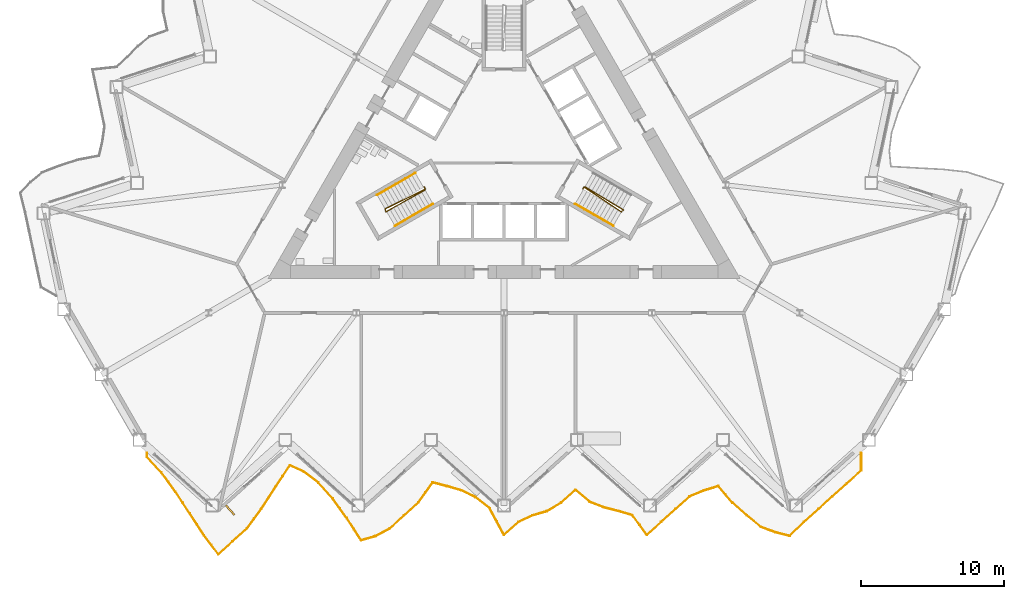
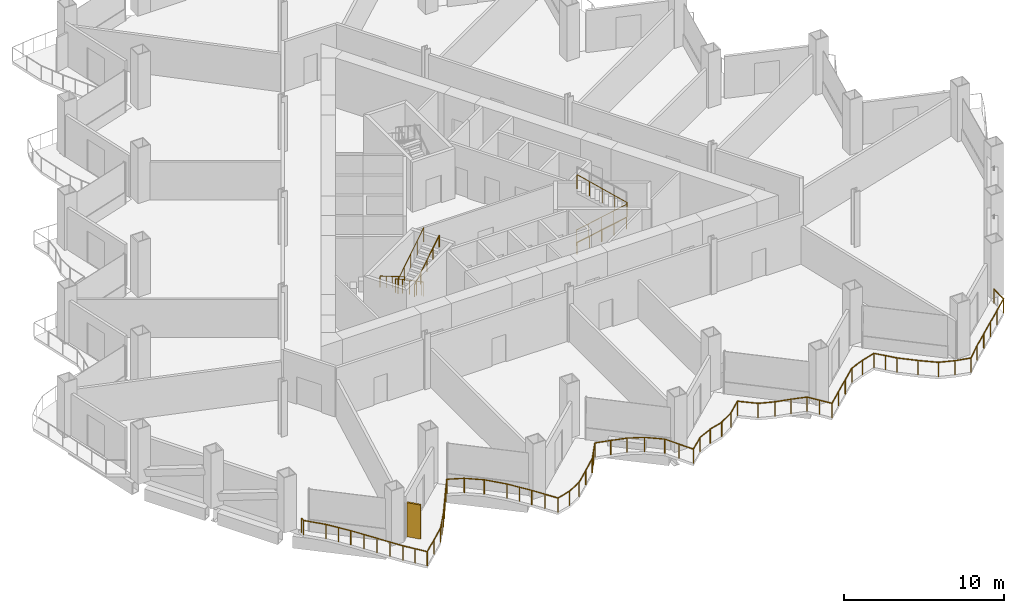
# One storey, part 17 of 21: 6 railings, 1 shading device.
"""IFC4 building model written with IfcOpenShell, lengths in metres."""

from ifc_helpers import new_model, si_unit, direction, frame, origin, origin_2d, place, context, subcontext, project, spatial, rectangle, circle, extrude, material, layer, layer_set, type_object, element, save


model = new_model("IFC4")

# Units and contexts
model_context = context("Model", 3, precision=1e-05, world=origin(), true_north=direction((0.0, 1.0)))
body_context = subcontext(model_context, "Body", "Model", "MODEL_VIEW")
ifc_project = project(units=[si_unit("LENGTHUNIT", "METRE"), si_unit("AREAUNIT", "SQUARE_METRE"), si_unit("VOLUMEUNIT", "CUBIC_METRE"), si_unit("PLANEANGLEUNIT", "RADIAN"), si_unit("MASSUNIT", "GRAM", prefix="KILO")], contexts=[model_context])

# Site, building, storey
site_placement = place(None, origin())
site = spatial("IfcSite", under=ifc_project, at=site_placement, CompositionType="ELEMENT")
building_placement = place(site_placement, origin())
building = spatial("IfcBuilding", under=site, at=building_placement, Name="Cormorant Prow Tower", CompositionType="ELEMENT")
storey_placement = place(building_placement, frame((0.0, 0.0, 99.60009765625)))
storey = spatial("IfcBuildingStorey", under=building, at=storey_placement, Name="L20", CompositionType="ELEMENT", Elevation=99.60009765625)

# Railings
ifc_material_1 = material(Name="Aluminium 6063-T6", Category="aluminium")
railing_type_1 = type_object("IfcRailingType", Name="Balcony guard 1100", PredefinedType="GUARDRAIL", material=ifc_material_1)
railing_1_placement = place(storey_placement, frame((-24.96337890625, -21.73486328125, 0.0)))
element("IfcRailing", 1, at=railing_1_placement, inside=storey, type_object=railing_type_1, Name="Balcony guard S", PredefinedType="GUARDRAIL", context=body_context, shape_type="SweptSolid", body=[
    extrude(circle(Radius=0.02392578125, at=origin_2d()), frame((0.0, 0.0, 1.076171875), z_axis=(0.0, -1.0, 0.0), x_axis=(1.0, 0.0, 0.0)), (0.0, 0.0, 1.0), 0.27001953125),
    extrude(circle(Radius=0.02392578125, at=origin_2d()), frame((0.0, -0.27001953125, 1.076171875), z_axis=(0.682579839343, -0.730811030925, 0.0), x_axis=(0.730811030925, 0.682579839343, 0.0)), (0.0, 0.0, 1.0), 1.462890625),
    extrude(circle(Radius=0.02392578125, at=origin_2d()), frame((0.99853515625, -1.339111328125, 1.076171875), z_axis=(0.590968956479, -0.806694299272, 0.0), x_axis=(0.806694299272, 0.590968956479, 0.0)), (0.0, 0.0, 1.0), 1.689697265625),
    extrude(circle(Radius=0.02392578125, at=origin_2d()), frame((1.9970703125, -2.7021484375, 1.076171875), z_axis=(0.546471548689, -0.837477669238, 0.0), x_axis=(0.837477669238, 0.546471548689, 0.0)), (0.0, 0.0, 1.0), 1.8271484375),
    extrude(circle(Radius=0.02392578125, at=origin_2d()), frame((2.99560546875, -4.232421875, 1.076171875), z_axis=(0.547389987267, -0.83687765046, 0.0), x_axis=(0.83687765046, 0.547389987267, 0.0)), (0.0, 0.0, 1.0), 1.82421875),
    extrude(circle(Radius=0.02392578125, at=origin_2d()), frame((3.994140625, -5.759033203125, 1.076171875), z_axis=(0.607268224345, -0.794496887156, 0.0), x_axis=(0.794496887156, 0.607268224345, 0.0)), (0.0, 0.0, 1.0), 1.644287109375),
    extrude(circle(Radius=0.02392578125, at=origin_2d()), frame((4.99267578125, -7.0654296875, 1.076171875), z_axis=(0.743203785227, 0.669065119121, 0.0), x_axis=(-0.669065119121, 0.743203785227, 0.0)), (0.0, 0.0, 1.0), 1.343505859375),
    extrude(circle(Radius=0.02392578125, at=origin_2d()), frame((5.9912109375, -6.16650390625, 1.076171875), z_axis=(0.743113432622, 0.669165470012, 0.0), x_axis=(-0.669165470012, 0.743113432622, 0.0)), (0.0, 0.0, 1.0), 1.34375),
    extrude(circle(Radius=0.02392578125, at=origin_2d()), frame((6.98974609375, -5.267333984375, 1.076171875), z_axis=(0.591934476972, 0.805986088572, 0.0), x_axis=(-0.805986088572, 0.591934476972, 0.0)), (0.0, 0.0, 1.0), 1.68701171875),
    extrude(circle(Radius=0.02392578125, at=origin_2d()), frame((7.98828125, -3.90771484375, 1.076171875), z_axis=(0.545494552009, 0.838114367928, 0.0), x_axis=(-0.838114367928, 0.545494552009, 0.0)), (0.0, 0.0, 1.0), 1.83056640625),
    extrude(circle(Radius=0.02392578125, at=origin_2d()), frame((8.98681640625, -2.37353515625, 1.076171875), z_axis=(0.54861835164, 0.836072906057, 0.0), x_axis=(-0.836072906057, 0.54861835164, 0.0)), (0.0, 0.0, 1.0), 1.820068359375),
    extrude(circle(Radius=0.02392578125, at=origin_2d()), frame((9.9853515625, -0.851806640625, 1.076171875), z_axis=(0.908945537038, -0.416914872245, 0.0), x_axis=(0.416914872245, 0.908945537038, 0.0)), (0.0, 0.0, 1.0), 1.0986328125),
    extrude(circle(Radius=0.02392578125, at=origin_2d()), frame((10.98388671875, -1.309814453125, 1.076171875), z_axis=(0.795730852914, -0.60565040223, 0.0), x_axis=(0.60565040223, 0.795730852914, 0.0)), (0.0, 0.0, 1.0), 1.2548828125),
    extrude(circle(Radius=0.02392578125, at=origin_2d()), frame((11.982421875, -2.06982421875, 1.076171875), z_axis=(0.672345440589, -0.740237535201, 0.0), x_axis=(0.740237535201, 0.672345440589, 0.0)), (0.0, 0.0, 1.0), 1.485107421875),
    extrude(circle(Radius=0.02392578125, at=origin_2d()), frame((12.98095703125, -3.169189453125, 1.076171875), z_axis=(0.584884728134, -0.811116424933, 0.0), x_axis=(0.811116424933, 0.584884728134, 0.0)), (0.0, 0.0, 1.0), 1.707275390625),
    extrude(circle(Radius=0.02392578125, at=origin_2d()), frame((13.9794921875, -4.553955078125, 1.076171875), z_axis=(0.544641936525, -0.838668683676, 0.0), x_axis=(0.838668683676, 0.544641936525, 0.0)), (0.0, 0.0, 1.0), 1.83349609375),
    extrude(circle(Radius=0.02392578125, at=origin_2d()), frame((14.97802734375, -6.091552734375, 1.076171875), z_axis=(0.962547362073, 0.271113584623, 0.0), x_axis=(-0.271113584623, 0.962547362073, 0.0)), (0.0, 0.0, 1.0), 1.037353515625),
    extrude(circle(Radius=0.02392578125, at=origin_2d()), frame((15.9765625, -5.810302734375, 1.076171875), z_axis=(0.878518696106, 0.477707965804, 0.0), x_axis=(-0.477707965804, 0.878518696106, 0.0)), (0.0, 0.0, 1.0), 1.13671875),
    extrude(circle(Radius=0.02392578125, at=origin_2d()), frame((16.97509765625, -5.267333984375, 1.076171875), z_axis=(0.743113432622, 0.669165470012, 0.0), x_axis=(-0.669165470012, 0.743113432622, 0.0)), (0.0, 0.0, 1.0), 1.34375),
    extrude(circle(Radius=0.02392578125, at=origin_2d()), frame((17.9736328125, -4.3681640625, 1.076171875), z_axis=(0.736271766287, 0.676685958306, 0.0), x_axis=(-0.676685958306, 0.736271766287, 0.0)), (0.0, 0.0, 1.0), 1.356201171875),
    extrude(circle(Radius=0.02392578125, at=origin_2d()), frame((18.97216796875, -3.450439453125, 1.076171875), z_axis=(0.582045609619, 0.813156140187, 0.0), x_axis=(-0.813156140187, 0.582045609619, 0.0)), (0.0, 0.0, 1.0), 1.715576171875),
    extrude(circle(Radius=0.02392578125, at=origin_2d()), frame((19.970703125, -2.055419921875, 1.076171875), z_axis=(0.968362271516, -0.249548614713, 0.0), x_axis=(0.249548614713, 0.968362271516, 0.0)), (0.0, 0.0, 1.0), 1.03125),
    extrude(circle(Radius=0.02392578125, at=origin_2d()), frame((20.96923828125, -2.312744140625, 1.076171875), z_axis=(0.961248532292, -0.275683258772, 0.0), x_axis=(0.275683258772, 0.961248532292, 0.0)), (0.0, 0.0, 1.0), 1.038818359375),
    extrude(circle(Radius=0.02392578125, at=origin_2d()), frame((21.9677734375, -2.59912109375, 1.076171875), z_axis=(0.90050704503, -0.4348414215, 0.0), x_axis=(0.4348414215, 0.90050704503, 0.0)), (0.0, 0.0, 1.0), 1.10888671875),
    extrude(circle(Radius=0.02392578125, at=origin_2d()), frame((22.96630859375, -3.081298828125, 1.076171875), z_axis=(0.783851476341, -0.620948357786, 0.0), x_axis=(0.620948357786, 0.783851476341, 0.0)), (0.0, 0.0, 1.0), 1.27392578125),
    extrude(circle(Radius=0.02392578125, at=origin_2d()), frame((23.96484375, -3.872314453125, 1.076171875), z_axis=(0.476320665365, -0.879271643889, 0.0), x_axis=(0.879271643889, 0.476320665365, 0.0)), (0.0, 0.0, 1.0), 2.096435546875),
    extrude(circle(Radius=0.02392578125, at=origin_2d()), frame((24.96337890625, -5.715576171875, 1.076171875), z_axis=(0.743113432622, 0.669165470012, 0.0), x_axis=(-0.669165470012, 0.743113432622, 0.0)), (0.0, 0.0, 1.0), 1.34375),
    extrude(circle(Radius=0.02392578125, at=origin_2d()), frame((25.9619140625, -4.81640625, 1.076171875), z_axis=(0.907426176512, 0.42021153504, 0.0), x_axis=(-0.42021153504, 0.907426176512, 0.0)), (0.0, 0.0, 1.0), 1.100341796875),
    extrude(circle(Radius=0.02392578125, at=origin_2d()), frame((26.96044921875, -4.35400390625, 1.076171875), z_axis=(0.959805272893, 0.280666774176, 0.0), x_axis=(-0.280666774176, 0.959805272893, 0.0)), (0.0, 0.0, 1.0), 1.040283203125),
    extrude(circle(Radius=0.02392578125, at=origin_2d()), frame((27.958984375, -4.06201171875, 1.076171875), z_axis=(0.85989512001, 0.51047074606, 0.0), x_axis=(-0.51047074606, 0.85989512001, 0.0)), (0.0, 0.0, 1.0), 1.1611328125),
    extrude(circle(Radius=0.02392578125, at=origin_2d()), frame((28.95751953125, -3.46923828125, 1.076171875), z_axis=(0.743113432622, 0.669165470012, 0.0), x_axis=(-0.669165470012, 0.743113432622, 0.0)), (0.0, 0.0, 1.0), 1.34375),
    extrude(circle(Radius=0.02392578125, at=origin_2d()), frame((29.9560546875, -2.570068359375, 1.076171875), z_axis=(0.763457084492, -0.645858560475, 0.0), x_axis=(0.645858560475, 0.763457084492, 0.0)), (0.0, 0.0, 1.0), 1.307861328125),
    extrude(circle(Radius=0.02392578125, at=origin_2d()), frame((30.95458984375, -3.414794921875, 1.076171875), z_axis=(0.933657077143, -0.358168203921, 0.0), x_axis=(0.358168203921, 0.933657077143, 0.0)), (0.0, 0.0, 1.0), 1.069580078125),
    extrude(circle(Radius=0.02392578125, at=origin_2d()), frame((31.953125, -3.7978515625, 1.076171875), z_axis=(0.969441353557, -0.245323178712, 0.0), x_axis=(0.245323178712, 0.969441353557, 0.0)), (0.0, 0.0, 1.0), 1.030029296875),
    extrude(circle(Radius=0.02392578125, at=origin_2d()), frame((32.95166015625, -4.050537109375, 1.076171875), z_axis=(0.958212304313, -0.286058000872, 0.0), x_axis=(0.286058000872, 0.958212304313, 0.0)), (0.0, 0.0, 1.0), 1.0419921875),
    extrude(circle(Radius=0.02392578125, at=origin_2d()), frame((33.9501953125, -4.3486328125, 1.076171875), z_axis=(0.5898683241, -0.807499449055, 0.0), x_axis=(0.807499449055, 0.5898683241, 0.0)), (0.0, 0.0, 1.0), 1.69287109375),
    extrude(circle(Radius=0.02392578125, at=origin_2d()), frame((34.94873046875, -5.715576171875, 1.076171875), z_axis=(0.743113432622, 0.669165470012, 0.0), x_axis=(-0.669165470012, 0.743113432622, 0.0)), (0.0, 0.0, 1.0), 1.34375),
    extrude(circle(Radius=0.02392578125, at=origin_2d()), frame((35.947265625, -4.81640625, 1.076171875), z_axis=(0.743113432622, 0.669165470012, 0.0), x_axis=(-0.669165470012, 0.743113432622, 0.0)), (0.0, 0.0, 1.0), 1.34375),
    extrude(circle(Radius=0.02392578125, at=origin_2d()), frame((36.94580078125, -3.917236328125, 1.076171875), z_axis=(0.743203785227, 0.669065119121, 0.0), x_axis=(-0.669065119121, 0.743203785227, 0.0)), (0.0, 0.0, 1.0), 1.343505859375),
    extrude(circle(Radius=0.02392578125, at=origin_2d()), frame((37.9443359375, -3.018310546875, 1.076171875), z_axis=(0.927535321824, 0.373735503757, 0.0), x_axis=(-0.373735503757, 0.927535321824, 0.0)), (0.0, 0.0, 1.0), 1.07666015625),
    extrude(circle(Radius=0.02392578125, at=origin_2d()), frame((38.94287109375, -2.615966796875, 1.076171875), z_axis=(0.956594534047, 0.291422197903, 0.0), x_axis=(-0.291422197903, 0.956594534047, 0.0)), (0.0, 0.0, 1.0), 1.0439453125),
    extrude(circle(Radius=0.02392578125, at=origin_2d()), frame((39.94140625, -2.311767578125, 1.076171875), z_axis=(0.653208122413, -0.757178412802, 0.0), x_axis=(0.757178412802, 0.653208122413, 0.0)), (0.0, 0.0, 1.0), 1.528564453125),
    extrude(circle(Radius=0.02392578125, at=origin_2d()), frame((40.93994140625, -3.46923828125, 1.076171875), z_axis=(0.743203785227, -0.669065119121, 0.0), x_axis=(0.669065119121, 0.743203785227, 0.0)), (0.0, 0.0, 1.0), 1.343505859375),
    extrude(circle(Radius=0.02392578125, at=origin_2d()), frame((41.9384765625, -4.3681640625, 1.076171875), z_axis=(0.777798148966, -0.62851415216, 0.0), x_axis=(0.62851415216, 0.777798148966, 0.0)), (0.0, 0.0, 1.0), 1.28369140625),
    extrude(circle(Radius=0.02392578125, at=origin_2d()), frame((42.93701171875, -5.175048828125, 1.076171875), z_axis=(0.939444203262, -0.342701895175, 0.0), x_axis=(0.342701895175, 0.939444203262, 0.0)), (0.0, 0.0, 1.0), 1.06298828125),
    extrude(circle(Radius=0.02392578125, at=origin_2d()), frame((43.935546875, -5.539306640625, 1.076171875), z_axis=(0.970226166734, -0.242200713016, 0.0), x_axis=(0.242200713016, 0.970226166734, 0.0)), (0.0, 0.0, 1.0), 1.029296875),
    extrude(circle(Radius=0.02392578125, at=origin_2d()), frame((44.93408203125, -5.78857421875, 1.076171875), z_axis=(0.716503446644, 0.697583551231, 0.0), x_axis=(-0.697583551231, 0.716503446644, 0.0)), (0.0, 0.0, 1.0), 1.3935546875),
    extrude(circle(Radius=0.02392578125, at=origin_2d()), frame((45.9326171875, -4.81640625, 1.076171875), z_axis=(0.743113432622, 0.669165470012, 0.0), x_axis=(-0.669165470012, 0.743113432622, 0.0)), (0.0, 0.0, 1.0), 1.34375),
    extrude(circle(Radius=0.02392578125, at=origin_2d()), frame((46.93115234375, -3.917236328125, 1.076171875), z_axis=(0.743203785227, 0.669065119121, 0.0), x_axis=(-0.669065119121, 0.743203785227, 0.0)), (0.0, 0.0, 1.0), 1.343505859375),
    extrude(circle(Radius=0.02392578125, at=origin_2d()), frame((47.9296875, -3.018310546875, 1.076171875), z_axis=(0.743113432622, 0.669165470012, 0.0), x_axis=(-0.669165470012, 0.743113432622, 0.0)), (0.0, 0.0, 1.0), 1.34375),
    extrude(circle(Radius=0.02392578125, at=origin_2d()), frame((48.92822265625, -2.119140625, 1.076171875), z_axis=(0.743113432622, 0.669165470012, 0.0), x_axis=(-0.669165470012, 0.743113432622, 0.0)), (0.0, 0.0, 1.0), 1.34375),
    extrude(circle(Radius=0.02392578125, at=origin_2d()), frame((49.9267578125, -1.219970703125, 1.076171875), z_axis=(0.0, 1.0, 0.0), x_axis=(-1.0, 0.0, 0.0)), (0.0, 0.0, 1.0), 1.219970703125),
    extrude(circle(Radius=0.02099609375, at=origin_2d()), origin(), (0.0, 0.0, 1.0), 1.052001953125),
    extrude(circle(Radius=0.02099609375, at=origin_2d()), frame((0.0, -0.27001953125, 0.0)), (0.0, 0.0, 1.0), 1.052001953125),
    extrude(circle(Radius=0.02099609375, at=origin_2d()), frame((0.99853515625, -1.339111328125, 0.0)), (0.0, 0.0, 1.0), 1.052001953125),
    extrude(circle(Radius=0.02099609375, at=origin_2d()), frame((1.497802734375, -2.0205078125, 0.0)), (0.0, 0.0, 1.0), 1.052001953125),
    extrude(circle(Radius=0.02099609375, at=origin_2d()), frame((1.9970703125, -2.7021484375, 0.0)), (0.0, 0.0, 1.0), 1.052001953125),
    extrude(circle(Radius=0.02099609375, at=origin_2d()), frame((2.496337890625, -3.46728515625, 0.0)), (0.0, 0.0, 1.0), 1.052001953125),
    extrude(circle(Radius=0.02099609375, at=origin_2d()), frame((2.99560546875, -4.232421875, 0.0)), (0.0, 0.0, 1.0), 1.052001953125),
    extrude(circle(Radius=0.02099609375, at=origin_2d()), frame((3.494873046875, -4.99560546875, 0.0)), (0.0, 0.0, 1.0), 1.052001953125),
    extrude(circle(Radius=0.02099609375, at=origin_2d()), frame((3.994140625, -5.759033203125, 0.0)), (0.0, 0.0, 1.0), 1.052001953125),
    extrude(circle(Radius=0.02099609375, at=origin_2d()), frame((4.493408203125, -6.412109375, 0.0)), (0.0, 0.0, 1.0), 1.052001953125),
    extrude(circle(Radius=0.02099609375, at=origin_2d()), frame((4.99267578125, -7.0654296875, 0.0)), (0.0, 0.0, 1.0), 1.052001953125),
    extrude(circle(Radius=0.02099609375, at=origin_2d()), frame((5.9912109375, -6.16650390625, 0.0)), (0.0, 0.0, 1.0), 1.052001953125),
    extrude(circle(Radius=0.02099609375, at=origin_2d()), frame((6.98974609375, -5.267333984375, 0.0)), (0.0, 0.0, 1.0), 1.052001953125),
    extrude(circle(Radius=0.02099609375, at=origin_2d()), frame((7.489013671875, -4.58740234375, 0.0)), (0.0, 0.0, 1.0), 1.052001953125),
    extrude(circle(Radius=0.02099609375, at=origin_2d()), frame((7.98828125, -3.90771484375, 0.0)), (0.0, 0.0, 1.0), 1.052001953125),
    extrude(circle(Radius=0.02099609375, at=origin_2d()), frame((8.487548828125, -3.140625, 0.0)), (0.0, 0.0, 1.0), 1.052001953125),
    extrude(circle(Radius=0.02099609375, at=origin_2d()), frame((8.98681640625, -2.37353515625, 0.0)), (0.0, 0.0, 1.0), 1.052001953125),
    extrude(circle(Radius=0.02099609375, at=origin_2d()), frame((9.486083984375, -1.61279296875, 0.0)), (0.0, 0.0, 1.0), 1.052001953125),
    extrude(circle(Radius=0.02099609375, at=origin_2d()), frame((9.9853515625, -0.851806640625, 0.0)), (0.0, 0.0, 1.0), 1.052001953125),
    extrude(circle(Radius=0.02099609375, at=origin_2d()), frame((10.98388671875, -1.309814453125, 0.0)), (0.0, 0.0, 1.0), 1.052001953125),
    extrude(circle(Radius=0.02099609375, at=origin_2d()), frame((11.982421875, -2.06982421875, 0.0)), (0.0, 0.0, 1.0), 1.052001953125),
    extrude(circle(Radius=0.02099609375, at=origin_2d()), frame((12.98095703125, -3.169189453125, 0.0)), (0.0, 0.0, 1.0), 1.052001953125),
    extrude(circle(Radius=0.02099609375, at=origin_2d()), frame((13.480224609375, -3.861572265625, 0.0)), (0.0, 0.0, 1.0), 1.052001953125),
    extrude(circle(Radius=0.02099609375, at=origin_2d()), frame((13.9794921875, -4.553955078125, 0.0)), (0.0, 0.0, 1.0), 1.052001953125),
    extrude(circle(Radius=0.02099609375, at=origin_2d()), frame((14.478759765625, -5.32275390625, 0.0)), (0.0, 0.0, 1.0), 1.052001953125),
    extrude(circle(Radius=0.02099609375, at=origin_2d()), frame((14.97802734375, -6.091552734375, 0.0)), (0.0, 0.0, 1.0), 1.052001953125),
    extrude(circle(Radius=0.02099609375, at=origin_2d()), frame((15.9765625, -5.810302734375, 0.0)), (0.0, 0.0, 1.0), 1.052001953125),
    extrude(circle(Radius=0.02099609375, at=origin_2d()), frame((16.97509765625, -5.267333984375, 0.0)), (0.0, 0.0, 1.0), 1.052001953125),
    extrude(circle(Radius=0.02099609375, at=origin_2d()), frame((17.9736328125, -4.3681640625, 0.0)), (0.0, 0.0, 1.0), 1.052001953125),
    extrude(circle(Radius=0.02099609375, at=origin_2d()), frame((18.97216796875, -3.450439453125, 0.0)), (0.0, 0.0, 1.0), 1.052001953125),
    extrude(circle(Radius=0.02099609375, at=origin_2d()), frame((19.471435546875, -2.7529296875, 0.0)), (0.0, 0.0, 1.0), 1.052001953125),
    extrude(circle(Radius=0.02099609375, at=origin_2d()), frame((19.970703125, -2.055419921875, 0.0)), (0.0, 0.0, 1.0), 1.052001953125),
    extrude(circle(Radius=0.02099609375, at=origin_2d()), frame((20.96923828125, -2.312744140625, 0.0)), (0.0, 0.0, 1.0), 1.052001953125),
    extrude(circle(Radius=0.02099609375, at=origin_2d()), frame((21.9677734375, -2.59912109375, 0.0)), (0.0, 0.0, 1.0), 1.052001953125),
    extrude(circle(Radius=0.02099609375, at=origin_2d()), frame((22.96630859375, -3.081298828125, 0.0)), (0.0, 0.0, 1.0), 1.052001953125),
    extrude(circle(Radius=0.02099609375, at=origin_2d()), frame((23.96484375, -3.872314453125, 0.0)), (0.0, 0.0, 1.0), 1.052001953125),
    extrude(circle(Radius=0.02099609375, at=origin_2d()), frame((24.464111328125, -4.7939453125, 0.0)), (0.0, 0.0, 1.0), 1.052001953125),
    extrude(circle(Radius=0.02099609375, at=origin_2d()), frame((24.96337890625, -5.715576171875, 0.0)), (0.0, 0.0, 1.0), 1.052001953125),
    extrude(circle(Radius=0.02099609375, at=origin_2d()), frame((25.9619140625, -4.81640625, 0.0)), (0.0, 0.0, 1.0), 1.052001953125),
    extrude(circle(Radius=0.02099609375, at=origin_2d()), frame((26.96044921875, -4.35400390625, 0.0)), (0.0, 0.0, 1.0), 1.052001953125),
    extrude(circle(Radius=0.02099609375, at=origin_2d()), frame((27.958984375, -4.06201171875, 0.0)), (0.0, 0.0, 1.0), 1.052001953125),
    extrude(circle(Radius=0.02099609375, at=origin_2d()), frame((28.95751953125, -3.46923828125, 0.0)), (0.0, 0.0, 1.0), 1.052001953125),
    extrude(circle(Radius=0.02099609375, at=origin_2d()), frame((29.9560546875, -2.570068359375, 0.0)), (0.0, 0.0, 1.0), 1.052001953125),
    extrude(circle(Radius=0.02099609375, at=origin_2d()), frame((30.95458984375, -3.414794921875, 0.0)), (0.0, 0.0, 1.0), 1.052001953125),
    extrude(circle(Radius=0.02099609375, at=origin_2d()), frame((31.953125, -3.7978515625, 0.0)), (0.0, 0.0, 1.0), 1.052001953125),
    extrude(circle(Radius=0.02099609375, at=origin_2d()), frame((32.95166015625, -4.050537109375, 0.0)), (0.0, 0.0, 1.0), 1.052001953125),
    extrude(circle(Radius=0.02099609375, at=origin_2d()), frame((33.9501953125, -4.3486328125, 0.0)), (0.0, 0.0, 1.0), 1.052001953125),
    extrude(circle(Radius=0.02099609375, at=origin_2d()), frame((34.449462890625, -5.0322265625, 0.0)), (0.0, 0.0, 1.0), 1.052001953125),
    extrude(circle(Radius=0.02099609375, at=origin_2d()), frame((34.94873046875, -5.715576171875, 0.0)), (0.0, 0.0, 1.0), 1.052001953125),
    extrude(circle(Radius=0.02099609375, at=origin_2d()), frame((35.947265625, -4.81640625, 0.0)), (0.0, 0.0, 1.0), 1.052001953125),
    extrude(circle(Radius=0.02099609375, at=origin_2d()), frame((36.94580078125, -3.917236328125, 0.0)), (0.0, 0.0, 1.0), 1.052001953125),
    extrude(circle(Radius=0.02099609375, at=origin_2d()), frame((37.9443359375, -3.018310546875, 0.0)), (0.0, 0.0, 1.0), 1.052001953125),
    extrude(circle(Radius=0.02099609375, at=origin_2d()), frame((38.94287109375, -2.615966796875, 0.0)), (0.0, 0.0, 1.0), 1.052001953125),
    extrude(circle(Radius=0.02099609375, at=origin_2d()), frame((39.94140625, -2.311767578125, 0.0)), (0.0, 0.0, 1.0), 1.052001953125),
    extrude(circle(Radius=0.02099609375, at=origin_2d()), frame((40.440673828125, -2.890625, 0.0)), (0.0, 0.0, 1.0), 1.052001953125),
    extrude(circle(Radius=0.02099609375, at=origin_2d()), frame((40.93994140625, -3.46923828125, 0.0)), (0.0, 0.0, 1.0), 1.052001953125),
    extrude(circle(Radius=0.02099609375, at=origin_2d()), frame((41.9384765625, -4.3681640625, 0.0)), (0.0, 0.0, 1.0), 1.052001953125),
    extrude(circle(Radius=0.02099609375, at=origin_2d()), frame((42.93701171875, -5.175048828125, 0.0)), (0.0, 0.0, 1.0), 1.052001953125),
    extrude(circle(Radius=0.02099609375, at=origin_2d()), frame((43.935546875, -5.539306640625, 0.0)), (0.0, 0.0, 1.0), 1.052001953125),
    extrude(circle(Radius=0.02099609375, at=origin_2d()), frame((44.93408203125, -5.78857421875, 0.0)), (0.0, 0.0, 1.0), 1.052001953125),
    extrude(circle(Radius=0.02099609375, at=origin_2d()), frame((45.9326171875, -4.81640625, 0.0)), (0.0, 0.0, 1.0), 1.052001953125),
    extrude(circle(Radius=0.02099609375, at=origin_2d()), frame((46.93115234375, -3.917236328125, 0.0)), (0.0, 0.0, 1.0), 1.052001953125),
    extrude(circle(Radius=0.02099609375, at=origin_2d()), frame((47.9296875, -3.018310546875, 0.0)), (0.0, 0.0, 1.0), 1.052001953125),
    extrude(circle(Radius=0.02099609375, at=origin_2d()), frame((48.92822265625, -2.119140625, 0.0)), (0.0, 0.0, 1.0), 1.052001953125),
    extrude(circle(Radius=0.02099609375, at=origin_2d()), frame((49.9267578125, -1.219970703125, 0.0)), (0.0, 0.0, 1.0), 1.052001953125),
    extrude(circle(Radius=0.02099609375, at=origin_2d()), frame((49.9267578125, 0.0, 0.0)), (0.0, 0.0, 1.0), 1.052001953125),
])
ifc_material_2 = material(Name="Stainless steel", Category="steel")
railing_type_2 = type_object("IfcRailingType", Name="Stair guard 1100", PredefinedType="GUARDRAIL", material=ifc_material_2)
railing_2_placement = place(storey_placement, frame((-5.585205078125, -3.137939453125, 0.0)))
element("IfcRailing", 2, at=railing_2_placement, inside=storey, type_object=railing_type_2, Name="L20 ST1 stair guard 1", PredefinedType="GUARDRAIL", context=body_context, shape_type="SweptSolid", body=[
    extrude(circle(Radius=0.02392578125, at=origin_2d()), frame((0.0, 0.0, 1.076171875), z_axis=(0.501036270542, -0.865426285481, 0.0), x_axis=(0.865426285481, 0.501036270542, 0.0)), (0.0, 0.0, 1.0), 0.150146484375),
    extrude(circle(Radius=0.02392578125, at=origin_2d()), frame((0.0751953125, -0.1298828125, 1.076171875), z_axis=(-0.744670798681, -0.368745611333, 0.556320119817), x_axis=(0.443754251299, -0.896148516963, 0.0)), (0.0, 0.0, 1.0), 3.774658203125),
    extrude(circle(Radius=0.02392578125, at=origin_2d()), frame((-2.735595703125, -1.521728515625, 3.17578125), z_axis=(0.274721127897, -0.961523947641, 0.0), x_axis=(0.961523947641, 0.274721127897, 0.0)), (0.0, 0.0, 1.0), 0.2060546875),
    extrude(circle(Radius=0.02392578125, at=origin_2d()), frame((-2.678955078125, -1.719970703125, 3.17578125), z_axis=(0.725738344322, 0.403670096391, 0.557094524171), x_axis=(-0.486086505765, 0.873910698477, 0.0)), (0.0, 0.0, 1.0), 3.769775390625),
    extrude(circle(Radius=0.02099609375, at=origin_2d()), origin(), (0.0, 0.0, 1.0), 1.052001953125),
    extrude(circle(Radius=0.02099609375, at=origin_2d()), frame((0.0751953125, -0.1298828125, 0.0)), (0.0, 0.0, 1.0), 1.052001953125),
    extrude(circle(Radius=0.02099609375, at=origin_2d()), frame((-0.62744140625, -0.477783203125, 0.52490234375)), (0.0, 0.0, 1.0), 1.052001953125),
    extrude(circle(Radius=0.02099609375, at=origin_2d()), frame((-1.330078125, -0.82568359375, 1.0498046875)), (0.0, 0.0, 1.0), 1.052001953125),
    extrude(circle(Radius=0.02099609375, at=origin_2d()), frame((-2.032958984375, -1.173828125, 1.574951171875)), (0.0, 0.0, 1.0), 1.052001953125),
    extrude(circle(Radius=0.02099609375, at=origin_2d()), frame((-2.735595703125, -1.521728515625, 2.099853515625)), (0.0, 0.0, 1.0), 1.052001953125),
    extrude(circle(Radius=0.02099609375, at=origin_2d()), frame((-2.678955078125, -1.719970703125, 2.099853515625)), (0.0, 0.0, 1.0), 1.052001953125),
    extrude(circle(Radius=0.02099609375, at=origin_2d()), frame((-1.9951171875, -1.339599609375, 2.625)), (0.0, 0.0, 1.0), 1.052001953125),
    extrude(circle(Radius=0.02099609375, at=origin_2d()), frame((-1.31103515625, -0.958984375, 3.14990234375)), (0.0, 0.0, 1.0), 1.052001953125),
    extrude(circle(Radius=0.02099609375, at=origin_2d()), frame((-0.626953125, -0.57861328125, 3.6748046875)), (0.0, 0.0, 1.0), 1.052001953125),
    extrude(circle(Radius=0.02099609375, at=origin_2d()), frame((0.056884765625, -0.1982421875, 4.199951171875)), (0.0, 0.0, 1.0), 1.052001953125),
])
railing_3_placement = place(storey_placement, frame((5.510009765625, -3.267822265625, 0.0)))
element("IfcRailing", 3, at=railing_3_placement, inside=storey, type_object=railing_type_2, Name="L20 ST2 stair guard 1", PredefinedType="GUARDRAIL", context=body_context, shape_type="SweptSolid", body=[
    extrude(circle(Radius=0.02392578125, at=origin_2d()), frame((0.0, 0.0, 1.076171875), z_axis=(0.501036270542, 0.865426285481, 0.0), x_axis=(-0.865426285481, 0.501036270542, 0.0)), (0.0, 0.0, 1.0), 0.150146484375),
    extrude(circle(Radius=0.02392578125, at=origin_2d()), frame((0.0751953125, 0.1298828125, 1.076171875), z_axis=(0.691655524431, -0.460543096787, 0.55633864824), x_axis=(0.554233058506, 0.832361530141, 0.0)), (0.0, 0.0, 1.0), 3.7744140625),
    extrude(circle(Radius=0.02392578125, at=origin_2d()), frame((2.685791015625, -1.6083984375, 3.17578125), z_axis=(0.695164929852, 0.718850276695, 0.0), x_axis=(-0.718850276695, 0.695164929852, 0.0)), (0.0, 0.0, 1.0), 0.2060546875),
    extrude(circle(Radius=0.02392578125, at=origin_2d()), frame((2.8291015625, -1.460205078125, 3.17578125), z_axis=(-0.712463317363, 0.426661970256, 0.557095669117), x_axis=(-0.513773053629, -0.857926132814, 0.0)), (0.0, 0.0, 1.0), 3.769775390625),
    extrude(circle(Radius=0.02099609375, at=origin_2d()), origin(), (0.0, 0.0, 1.0), 1.052001953125),
    extrude(circle(Radius=0.02099609375, at=origin_2d()), frame((0.0751953125, 0.1298828125, 0.0)), (0.0, 0.0, 1.0), 1.052001953125),
    extrude(circle(Radius=0.02099609375, at=origin_2d()), frame((0.727783203125, -0.3046875, 0.52490234375)), (0.0, 0.0, 1.0), 1.052001953125),
    extrude(circle(Radius=0.02099609375, at=origin_2d()), frame((1.38037109375, -0.7392578125, 1.0498046875)), (0.0, 0.0, 1.0), 1.052001953125),
    extrude(circle(Radius=0.02099609375, at=origin_2d()), frame((2.033203125, -1.173828125, 1.574951171875)), (0.0, 0.0, 1.0), 1.052001953125),
    extrude(circle(Radius=0.02099609375, at=origin_2d()), frame((2.685791015625, -1.6083984375, 2.099853515625)), (0.0, 0.0, 1.0), 1.052001953125),
    extrude(circle(Radius=0.02099609375, at=origin_2d()), frame((2.8291015625, -1.460205078125, 2.099853515625)), (0.0, 0.0, 1.0), 1.052001953125),
    extrude(circle(Radius=0.02099609375, at=origin_2d()), frame((2.15771484375, -1.05810546875, 2.625)), (0.0, 0.0, 1.0), 1.052001953125),
    extrude(circle(Radius=0.02099609375, at=origin_2d()), frame((1.486328125, -0.656005859375, 3.14990234375)), (0.0, 0.0, 1.0), 1.052001953125),
    extrude(circle(Radius=0.02099609375, at=origin_2d()), frame((0.814697265625, -0.25390625, 3.6748046875)), (0.0, 0.0, 1.0), 1.052001953125),
    extrude(circle(Radius=0.02099609375, at=origin_2d()), frame((0.143310546875, 0.148193359375, 4.199951171875)), (0.0, 0.0, 1.0), 1.052001953125),
])
ifc_material_3 = material(Name="Stainless steel", Category="steel")
railing_type_3 = type_object("IfcRailingType", Name="Stair handrail 900", PredefinedType="HANDRAIL", material=ifc_material_3)
railing_4_placement = place(storey_placement, frame((-6.212890625, -2.150634765625, 0.1748046875)))
element("IfcRailing", 4, at=railing_4_placement, inside=storey, type_object=railing_type_3, Name="L20 ST1 stair handrail 1", PredefinedType="HANDRAIL", context=body_context, shape_type="SweptSolid", body=[
    extrude(circle(Radius=0.02392578125, at=origin_2d()), frame((0.0, 0.0, 0.8759765625), z_axis=(-0.734394994316, -0.423994474112, 0.52999309264), x_axis=(0.499992328818, -0.866029832698, 0.0)), (0.0, 0.0, 1.0), 3.63232421875),
    extrude(circle(Radius=0.02099609375, at=origin_2d()), origin(), (0.0, 0.0, 1.0), 0.851806640625),
    extrude(circle(Radius=0.02099609375, at=origin_2d()), frame((-0.6669921875, -0.385009765625, 0.481201171875)), (0.0, 0.0, 1.0), 0.851806640625),
    extrude(circle(Radius=0.02099609375, at=origin_2d()), frame((-1.333740234375, -0.77001953125, 0.96240234375)), (0.0, 0.0, 1.0), 0.851806640625),
    extrude(circle(Radius=0.02099609375, at=origin_2d()), frame((-2.00048828125, -1.155029296875, 1.44384765625)), (0.0, 0.0, 1.0), 0.851806640625),
    extrude(circle(Radius=0.02099609375, at=origin_2d()), frame((-2.66748046875, -1.5400390625, 1.925048828125)), (0.0, 0.0, 1.0), 0.851806640625),
])
railing_5_placement = place(storey_placement, frame((-7.63623046875, -5.84521484375, 2.27490234375)))
element("IfcRailing", 5, at=railing_5_placement, inside=storey, type_object=railing_type_3, Name="L20 ST1 stair handrail 2", PredefinedType="HANDRAIL", context=body_context, shape_type="SweptSolid", body=[
    extrude(circle(Radius=0.02392578125, at=origin_2d()), frame((0.0, 0.0, 0.8759765625), z_axis=(0.734364028329, 0.424015404183, 0.530019255228), x_axis=(-0.500026652407, 0.866010015463, 0.0)), (0.0, 0.0, 1.0), 3.632080078125),
    extrude(circle(Radius=0.02099609375, at=origin_2d()), origin(), (0.0, 0.0, 1.0), 0.851806640625),
    extrude(circle(Radius=0.02099609375, at=origin_2d()), frame((0.666748046875, 0.385009765625, 0.481201171875)), (0.0, 0.0, 1.0), 0.851806640625),
    extrude(circle(Radius=0.02099609375, at=origin_2d()), frame((1.33349609375, 0.77001953125, 0.96240234375)), (0.0, 0.0, 1.0), 0.851806640625),
    extrude(circle(Radius=0.02099609375, at=origin_2d()), frame((2.00048828125, 1.155029296875, 1.44384765625)), (0.0, 0.0, 1.0), 0.851806640625),
    extrude(circle(Radius=0.02099609375, at=origin_2d()), frame((2.667236328125, 1.5400390625, 1.925048828125)), (0.0, 0.0, 1.0), 0.851806640625),
])
railing_6_placement = place(storey_placement, frame((4.968994140625, -4.30517578125, 0.1748046875)))
element("IfcRailing", 6, at=railing_6_placement, inside=storey, type_object=railing_type_3, Name="L20 ST2 stair handrail 1", PredefinedType="HANDRAIL", context=body_context, shape_type="SweptSolid", body=[
    extrude(circle(Radius=0.02392578125, at=origin_2d()), frame((0.0, 0.0, 0.8759765625), z_axis=(0.734364028329, -0.424015404183, 0.530019255228), x_axis=(0.500026652407, 0.866010015463, 0.0)), (0.0, 0.0, 1.0), 3.632080078125),
    extrude(circle(Radius=0.02099609375, at=origin_2d()), origin(), (0.0, 0.0, 1.0), 0.851806640625),
    extrude(circle(Radius=0.02099609375, at=origin_2d()), frame((0.666748046875, -0.385009765625, 0.481201171875)), (0.0, 0.0, 1.0), 0.851806640625),
    extrude(circle(Radius=0.02099609375, at=origin_2d()), frame((1.33349609375, -0.77001953125, 0.96240234375)), (0.0, 0.0, 1.0), 0.851806640625),
    extrude(circle(Radius=0.02099609375, at=origin_2d()), frame((2.00048828125, -1.155029296875, 1.44384765625)), (0.0, 0.0, 1.0), 0.851806640625),
    extrude(circle(Radius=0.02099609375, at=origin_2d()), frame((2.667236328125, -1.5400390625, 1.925048828125)), (0.0, 0.0, 1.0), 0.851806640625),
])

# Shading device
ifc_material_4 = material(Name="Terracotta", Category="masonry")
ifc_layer = layer(ifc_material_4, 0.1201171875)
ifc_layer_set = layer_set([ifc_layer], Name="Terracotta")
shading_device_type = type_object("IfcShadingDeviceType", Name="Terracotta baguette fin 120x900x2600", PredefinedType="USERDEFINED", material=ifc_layer_set)
shading_device_placement = place(storey_placement, frame((-19.15234375, -25.718994140625, -0.000244140625), z_axis=(0.0, 0.0, 1.0), x_axis=(0.743144785735, 0.669130650497, 0.0)))
element("IfcShadingDevice", 7, at=shading_device_placement, inside=storey, type_object=shading_device_type, Name="Baguette fin S01", ObjectType="BAGUETTE", PredefinedType="USERDEFINED", context=body_context, shape_type="SweptSolid", body=[
    extrude(rectangle(XDim=0.1201171875, YDim=0.89990234375, at=origin_2d()), origin(), (0.0, 0.0, 1.0), 2.60009765625),
])

save(model, "model.ifc")
